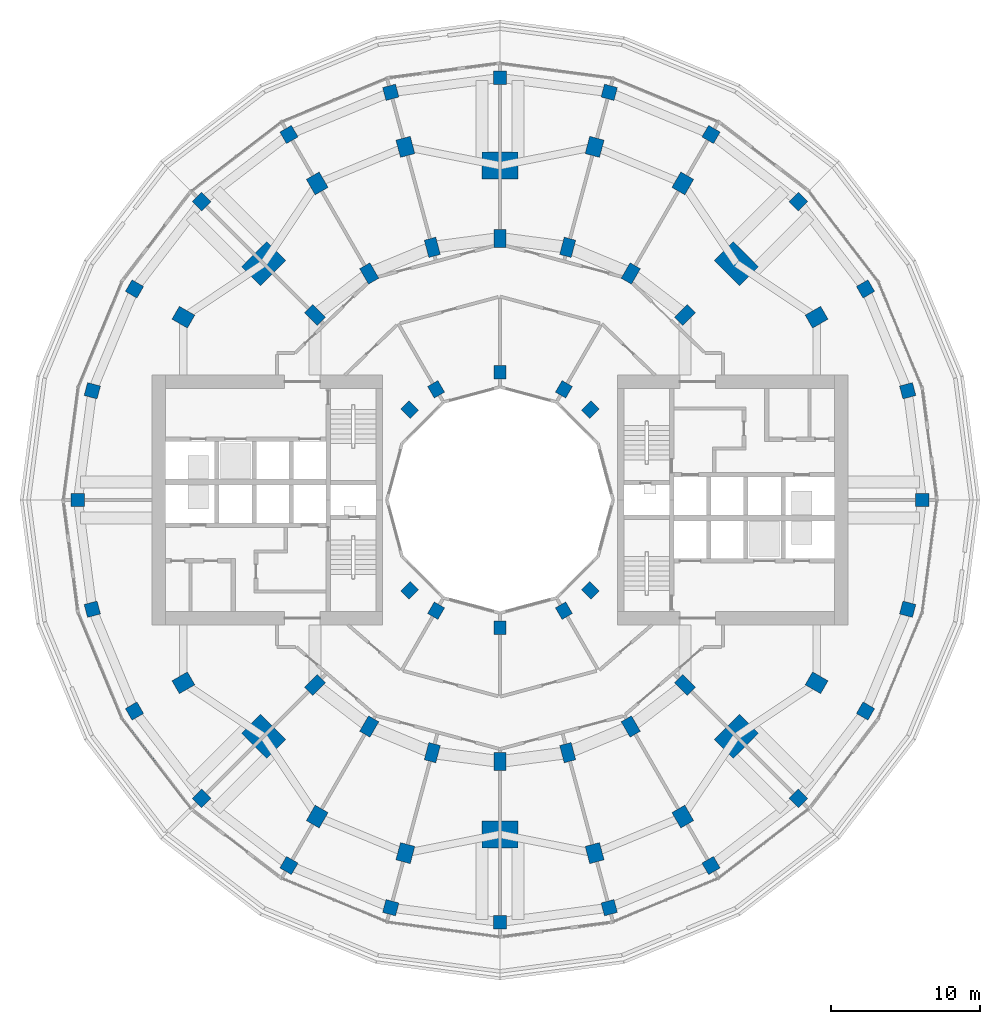
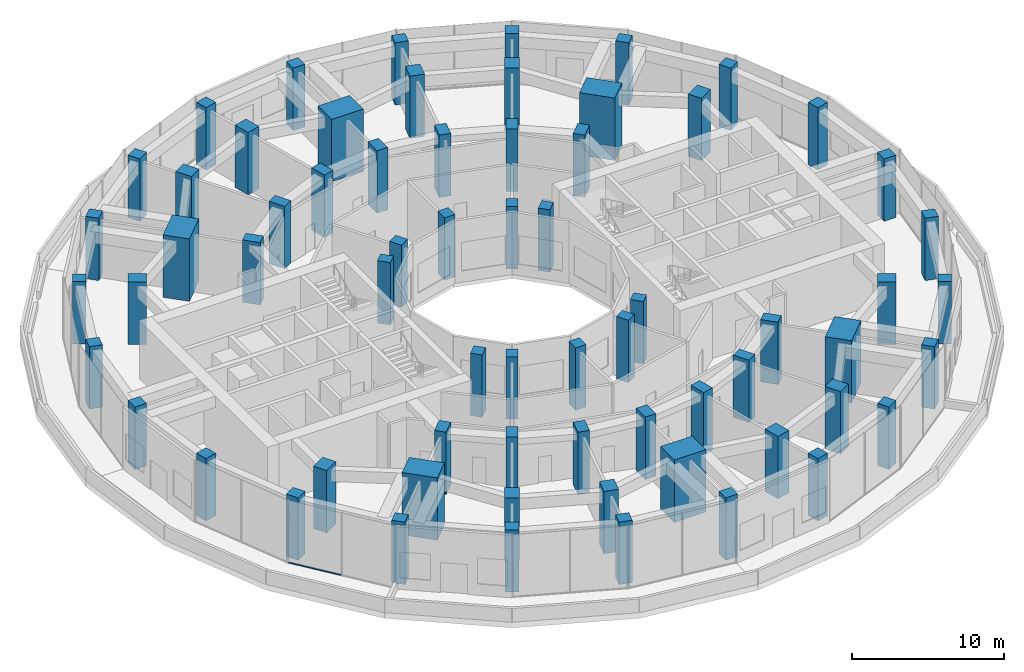
# One storey, part 1 of 19: 66 columns, 1 member, 1 element without a shape of its own.
"""IFC4 building model written with IfcOpenShell, lengths in metres."""

from ifc_helpers import new_model, si_unit, direction, frame, origin, origin_2d, place, context, subcontext, project, spatial, rectangle, extrude, material, layer, layer_set, material_profile, profile_set, type_object, element, aggregate, save


model = new_model("IFC4")

# Units and contexts
model_context = context("Model", 3, precision=1e-05, world=origin(), true_north=direction((0.0, 1.0)))
body_context = subcontext(model_context, "Body", "Model", "MODEL_VIEW")
ifc_project = project(units=[si_unit("LENGTHUNIT", "METRE"), si_unit("AREAUNIT", "SQUARE_METRE"), si_unit("VOLUMEUNIT", "CUBIC_METRE"), si_unit("PLANEANGLEUNIT", "RADIAN"), si_unit("MASSUNIT", "GRAM", prefix="KILO")], contexts=[model_context])

# Site, building, storey
site_placement = place(None, origin())
site = spatial("IfcSite", under=ifc_project, at=site_placement, CompositionType="ELEMENT")
building_placement = place(site_placement, origin())
building = spatial("IfcBuilding", under=site, at=building_placement, Name="Torre Brocal", CompositionType="ELEMENT")
storey_placement = place(building_placement, frame((0.0, 0.0, 23.800048828125)))
storey = spatial("IfcBuildingStorey", under=building, at=storey_placement, Name="L04", CompositionType="ELEMENT", Elevation=23.800048828125)

# Columns
ifc_material_1 = material(Name="Concrete C80", Category="concrete")
ifc_material_profile_1 = material_profile(ifc_material_1, rectangle(XDim=1.199951171875, YDim=1.0, at=origin_2d()), Name="RC 1200X1000")
ifc_profile_set_1 = profile_set([ifc_material_profile_1], Name="Concrete C80")
column_type_1 = type_object("IfcColumnType", Name="RC COLUMN 1200X1000 C80", PredefinedType="COLUMN", material=ifc_profile_set_1)
for number, where, z_axis, x_axis, name in (
    (1, (101.30419921875, 87.300048828125, 0.0), (0.0, 0.0, 1.0), (0.866025403784, 0.5, 0.0), "Column C-O02"),
    (2, (92.300048828125, 96.30419921875, 0.0), (0.0, 0.0, 1.0), (0.5, 0.866025403784, 0.0), "Column C-O04"),
    (3, (86.366943359375, 98.76171875, 0.0), (0.0, 0.0, 1.0), (0.258819045103, 0.965925826289, 0.0), "Column C-O05"),
    (4, (73.633056640625, 98.76171875, 0.0), (0.0, 0.0, 1.0), (-0.258819045103, 0.965925826289, 0.0), "Column C-O07"),
    (5, (67.699951171875, 96.30419921875, 0.0), (0.0, 0.0, 1.0), (-0.5, 0.866025403784, 0.0), "Column C-O08"),
    (6, (58.69580078125, 87.300048828125, 0.0), (0.0, 0.0, 1.0), (-0.866025403784, 0.5, 0.0), "Column C-O10"),
    (7, (58.69580078125, 62.699951171875, 0.0), (0.0, 0.0, 1.0), (-0.866025403784, -0.5, 0.0), "Column C-O14"),
    (8, (67.699951171875, 53.69580078125, 0.0), (0.0, 0.0, 1.0), (-0.5, -0.866025403784, 0.0), "Column C-O16"),
    (9, (73.633056640625, 51.23828125, 0.0), (0.0, 0.0, 1.0), (-0.258819045103, -0.965925826289, 0.0), "Column C-O17"),
    (10, (86.366943359375, 51.23828125, 0.0), (0.0, 0.0, 1.0), (0.258819045103, -0.965925826289, 0.0), "Column C-O19"),
    (11, (92.300048828125, 53.69580078125, 0.0), (0.0, 0.0, 1.0), (0.5, -0.866025403784, 0.0), "Column C-O20"),
    (12, (101.30419921875, 62.699951171875, 0.0), (0.0, 0.0, 1.0), (0.866025403784, -0.5, 0.0), "Column C-O22"),
):
    element("IfcColumn", number, at=place(storey_placement, frame(where, z_axis=z_axis, x_axis=x_axis)), inside=storey, type_object=column_type_1, Name=name, PredefinedType="COLUMN", context=body_context, shape_type="SweptSolid", body=[
        extrude(rectangle(XDim=1.199951171875, YDim=1.0, at=origin_2d()), origin(), (0.0, 0.0, 1.0), 5.0),
    ])
ifc_material_2 = material(Name="Concrete C80", Category="concrete")
ifc_material_profile_2 = material_profile(ifc_material_2, rectangle(XDim=1.199951171875, YDim=0.800048828125, at=origin_2d()), Name="RC 1200X800")
ifc_profile_set_2 = profile_set([ifc_material_profile_2], Name="Concrete C80")
column_type_2 = type_object("IfcColumnType", Name="RC COLUMN 1200X800 C80", PredefinedType="COLUMN", material=ifc_profile_set_2)
for number, where, z_axis, x_axis, name in (
    (13, (92.445068359375, 87.445068359375, 0.0), (0.0, 0.0, 1.0), (0.707106781187, 0.707106781187, 0.0), "Column C-M03"),
    (14, (88.800048828125, 90.241943359375, 0.0), (0.0, 0.0, 1.0), (0.5, 0.866025403784, 0.0), "Column C-M04"),
    (15, (84.55517578125, 92.000244140625, 0.0), (0.0, 0.0, 1.0), (0.258819045103, 0.965925826289, 0.0), "Column C-M05"),
    (16, (80.0, 92.60009765625, 0.0), (0.0, 0.0, 1.0), (0.0, 1.0, 0.0), "Column C-M06"),
    (17, (75.44482421875, 92.000244140625, 0.0), (0.0, 0.0, 1.0), (-0.258819045103, 0.965925826289, 0.0), "Column C-M07"),
    (18, (71.199951171875, 90.241943359375, 0.0), (0.0, 0.0, 1.0), (-0.5, 0.866025403784, 0.0), "Column C-M08"),
    (19, (67.554931640625, 87.445068359375, 0.0), (0.0, 0.0, 1.0), (-0.707106781187, 0.707106781187, 0.0), "Column C-M09"),
    (20, (67.554931640625, 62.554931640625, 0.0), (0.0, 0.0, 1.0), (-0.707106781187, -0.707106781187, 0.0), "Column C-M15"),
    (21, (71.199951171875, 59.758056640625, 0.0), (0.0, 0.0, 1.0), (-0.5, -0.866025403784, 0.0), "Column C-M16"),
    (22, (75.44482421875, 57.999755859375, 0.0), (0.0, 0.0, 1.0), (-0.258819045103, -0.965925826289, 0.0), "Column C-M17"),
    (23, (80.0, 57.39990234375, 0.0), (0.0, 0.0, 1.0), (0.0, -1.0, 0.0), "Column C-M18"),
    (24, (84.55517578125, 57.999755859375, 0.0), (0.0, 0.0, 1.0), (0.258819045103, -0.965925826289, 0.0), "Column C-M19"),
    (25, (88.800048828125, 59.758056640625, 0.0), (0.0, 0.0, 1.0), (0.5, -0.866025403784, 0.0), "Column C-M20"),
    (26, (92.445068359375, 62.554931640625, 0.0), (0.0, 0.0, 1.0), (0.707106781187, -0.707106781187, 0.0), "Column C-M21"),
):
    element("IfcColumn", number, at=place(storey_placement, frame(where, z_axis=z_axis, x_axis=x_axis)), inside=storey, type_object=column_type_2, Name=name, PredefinedType="COLUMN", context=body_context, shape_type="SweptSolid", body=[
        extrude(rectangle(XDim=1.199951171875, YDim=0.800048828125, at=origin_2d()), origin(), (0.0, 0.0, 1.0), 5.0),
    ])
ifc_material_3 = material(Name="Concrete C80", Category="concrete")
ifc_material_profile_3 = material_profile(ifc_material_3, rectangle(XDim=1.800048828125, YDim=2.39990234375, at=origin_2d()), Name="RC 1800X2400")
ifc_profile_set_3 = profile_set([ifc_material_profile_3], Name="Concrete C80")
column_type_3 = type_object("IfcColumnType", Name="RC COLUMN 1800X2400 C80", PredefinedType="COLUMN", material=ifc_profile_set_3)
for number, where, z_axis, x_axis, name in (
    (27, (95.909912109375, 90.909912109375, 0.0), (0.0, 0.0, 1.0), (0.707106781187, 0.707106781187, 0.0), "Column MC-1"),
    (28, (80.0, 97.5, 0.0), (0.0, 0.0, 1.0), (0.0, 1.0, 0.0), "Column MC-2"),
    (29, (64.090087890625, 90.909912109375, 0.0), (0.0, 0.0, 1.0), (-0.707106781187, 0.707106781187, 0.0), "Column MC-3"),
    (30, (64.090087890625, 59.090087890625, 0.0), (0.0, 0.0, 1.0), (-0.707106781187, -0.707106781187, 0.0), "Column MC-5"),
    (31, (80.0, 52.5, 0.0), (0.0, 0.0, 1.0), (0.0, -1.0, 0.0), "Column MC-6"),
    (32, (95.909912109375, 59.090087890625, 0.0), (0.0, 0.0, 1.0), (0.707106781187, -0.707106781187, 0.0), "Column MC-7"),
):
    element("IfcColumn", number, at=place(storey_placement, frame(where, z_axis=z_axis, x_axis=x_axis)), inside=storey, type_object=column_type_3, Name=name, PredefinedType="COLUMN", context=body_context, shape_type="SweptSolid", body=[
        extrude(rectangle(XDim=1.800048828125, YDim=2.39990234375, at=origin_2d()), origin(), (0.0, 0.0, 1.0), 5.0),
    ])
ifc_material_4 = material(Name="Concrete C80", Category="concrete")
ifc_material_profile_4 = material_profile(ifc_material_4, rectangle(XDim=0.89990234375, YDim=0.800048828125, at=origin_2d()), Name="RC 900X800")
ifc_profile_set_4 = profile_set([ifc_material_profile_4], Name="Concrete C80")
column_type_4 = type_object("IfcColumnType", Name="RC COLUMN 900X800 C80", PredefinedType="COLUMN", material=ifc_profile_set_4)
for number, where, z_axis, x_axis, name in (
    (33, (86.0810546875, 81.0810546875, 0.0), (0.0, 0.0, 1.0), (0.707106781187, 0.707106781187, 0.0), "Column C-I03"),
    (34, (84.300048828125, 82.44775390625, 0.0), (0.0, 0.0, 1.0), (0.5, 0.866025403784, 0.0), "Column C-I04"),
    (35, (80.0, 83.60009765625, 0.0), (0.0, 0.0, 1.0), (0.0, 1.0, 0.0), "Column C-I06"),
    (36, (75.699951171875, 82.44775390625, 0.0), (0.0, 0.0, 1.0), (-0.5, 0.866025403784, 0.0), "Column C-I08"),
    (37, (73.9189453125, 81.0810546875, 0.0), (0.0, 0.0, 1.0), (-0.707106781187, 0.707106781187, 0.0), "Column C-I09"),
    (38, (73.9189453125, 68.9189453125, 0.0), (0.0, 0.0, 1.0), (-0.707106781187, -0.707106781187, 0.0), "Column C-I15"),
    (39, (75.699951171875, 67.55224609375, 0.0), (0.0, 0.0, 1.0), (-0.5, -0.866025403784, 0.0), "Column C-I16"),
    (40, (80.0, 66.39990234375, 0.0), (0.0, 0.0, 1.0), (0.0, -1.0, 0.0), "Column C-I18"),
    (41, (84.300048828125, 67.55224609375, 0.0), (0.0, 0.0, 1.0), (0.5, -0.866025403784, 0.0), "Column C-I20"),
    (42, (86.0810546875, 68.9189453125, 0.0), (0.0, 0.0, 1.0), (0.707106781187, -0.707106781187, 0.0), "Column C-I21"),
):
    element("IfcColumn", number, at=place(storey_placement, frame(where, z_axis=z_axis, x_axis=x_axis)), inside=storey, type_object=column_type_4, Name=name, PredefinedType="COLUMN", context=body_context, shape_type="SweptSolid", body=[
        extrude(rectangle(XDim=0.89990234375, YDim=0.800048828125, at=origin_2d()), origin(), (0.0, 0.0, 1.0), 5.0),
    ])
ifc_material_5 = material(Name="Concrete C80", Category="concrete")
ifc_material_profile_5 = material_profile(ifc_material_5, rectangle(XDim=0.89990234375, YDim=0.89990234375, at=origin_2d()), Name="RC 900X900")
ifc_profile_set_5 = profile_set([ifc_material_profile_5], Name="Concrete C80")
column_type_5 = type_object("IfcColumnType", Name="RC COLUMN 900X900 C80", PredefinedType="COLUMN", material=ifc_profile_set_5)
for number, where, z_axis, x_axis, name in (
    (43, (108.39990234375, 75.0, 0.0), (0.0, 0.0, 1.0), (1.0, 0.0, 0.0), "Column C-PD00"),
    (44, (107.432373046875, 82.350341796875, 0.0), (0.0, 0.0, 1.0), (0.965925826289, 0.258819045103, 0.0), "Column C-PD01"),
    (45, (104.59521484375, 89.199951171875, 0.0), (0.0, 0.0, 1.0), (0.866025403784, 0.5, 0.0), "Column C-PD02"),
    (46, (100.081787109375, 95.081787109375, 0.0), (0.0, 0.0, 1.0), (0.707106781187, 0.707106781187, 0.0), "Column C-PD03"),
    (47, (94.199951171875, 99.59521484375, 0.0), (0.0, 0.0, 1.0), (0.5, 0.866025403784, 0.0), "Column C-PD04"),
    (48, (87.350341796875, 102.432373046875, 0.0), (0.0, 0.0, 1.0), (0.258819045103, 0.965925826289, 0.0), "Column C-PD05"),
    (49, (80.0, 103.39990234375, 0.0), (0.0, 0.0, 1.0), (0.0, 1.0, 0.0), "Column C-PD06"),
    (50, (72.649658203125, 102.432373046875, 0.0), (0.0, 0.0, 1.0), (-0.258819045103, 0.965925826289, 0.0), "Column C-PD07"),
    (51, (65.800048828125, 99.59521484375, 0.0), (0.0, 0.0, 1.0), (-0.5, 0.866025403784, 0.0), "Column C-PD08"),
    (52, (59.918212890625, 95.081787109375, 0.0), (0.0, 0.0, 1.0), (-0.707106781187, 0.707106781187, 0.0), "Column C-PD09"),
    (53, (55.40478515625, 89.199951171875, 0.0), (0.0, 0.0, 1.0), (-0.866025403784, 0.5, 0.0), "Column C-PD10"),
    (54, (52.567626953125, 82.350341796875, 0.0), (0.0, 0.0, 1.0), (-0.965925826289, 0.258819045103, 0.0), "Column C-PD11"),
    (55, (51.60009765625, 75.0, 0.0), (0.0, 0.0, 1.0), (-1.0, 0.0, 0.0), "Column C-PD12"),
    (56, (52.567626953125, 67.649658203125, 0.0), (0.0, 0.0, 1.0), (-0.965925826289, -0.258819045103, 0.0), "Column C-PD13"),
    (57, (55.40478515625, 60.800048828125, 0.0), (0.0, 0.0, 1.0), (-0.866025403784, -0.5, 0.0), "Column C-PD14"),
    (58, (59.918212890625, 54.918212890625, 0.0), (0.0, 0.0, 1.0), (-0.707106781187, -0.707106781187, 0.0), "Column C-PD15"),
    (59, (65.800048828125, 50.40478515625, 0.0), (0.0, 0.0, 1.0), (-0.5, -0.866025403784, 0.0), "Column C-PD16"),
    (60, (72.649658203125, 47.567626953125, 0.0), (0.0, 0.0, 1.0), (-0.258819045103, -0.965925826289, 0.0), "Column C-PD17"),
    (61, (80.0, 46.60009765625, 0.0), (0.0, 0.0, 1.0), (0.0, -1.0, 0.0), "Column C-PD18"),
    (62, (87.350341796875, 47.567626953125, 0.0), (0.0, 0.0, 1.0), (0.258819045103, -0.965925826289, 0.0), "Column C-PD19"),
    (63, (94.199951171875, 50.40478515625, 0.0), (0.0, 0.0, 1.0), (0.5, -0.866025403784, 0.0), "Column C-PD20"),
    (64, (100.081787109375, 54.918212890625, 0.0), (0.0, 0.0, 1.0), (0.707106781187, -0.707106781187, 0.0), "Column C-PD21"),
    (65, (104.59521484375, 60.800048828125, 0.0), (0.0, 0.0, 1.0), (0.866025403784, -0.5, 0.0), "Column C-PD22"),
    (66, (107.432373046875, 67.649658203125, 0.0), (0.0, 0.0, 1.0), (0.965925826289, -0.258819045103, 0.0), "Column C-PD23"),
):
    element("IfcColumn", number, at=place(storey_placement, frame(where, z_axis=z_axis, x_axis=x_axis)), inside=storey, type_object=column_type_5, Name=name, PredefinedType="COLUMN", context=body_context, shape_type="SweptSolid", body=[
        extrude(rectangle(XDim=0.89990234375, YDim=0.89990234375, at=origin_2d()), origin(), (0.0, 0.0, 1.0), 5.0),
    ])

# Curtain wall, member
ifc_material_6 = material(Name="Aluminium and glass", Category="aluminium")
ifc_layer = layer(ifc_material_6, 0.199951171875)
ifc_layer_set = layer_set([ifc_layer], Name="Aluminium and glass")
curtain_wall_type = type_object("IfcCurtainWallType", Name="CW-6 CURTAIN WALL 5000 HIGH", PredefinedType="NOTDEFINED", material=ifc_layer_set)
curtain_wall_placement = place(storey_placement, origin())
curtain_wall = element("IfcCurtainWall", 67, at=curtain_wall_placement, inside=storey, type_object=curtain_wall_type, Name="CW-6 RUN 15", PredefinedType="NOTDEFINED")
ifc_material_7 = material(Name="Aluminium, dark anodised", Category="aluminium")
ifc_material_profile_6 = material_profile(ifc_material_7, rectangle(XDim=0.1298828125, YDim=0.070068359375, at=origin_2d()), Name="CW-6 TRANSOM 130X70")
ifc_profile_set_6 = profile_set([ifc_material_profile_6], Name="Aluminium, dark anodised")
member_type = type_object("IfcMemberType", Name="CW-6 TRANSOM 130X70", PredefinedType="USERDEFINED", material=ifc_profile_set_6)
member_placement = place(storey_placement, frame((54.570068359375, 60.2607421875, 0.034912109375), z_axis=(0.608747552181, -0.793363988163, 0.0), x_axis=(0.793363988163, 0.608747552181, 0.0)))
member = element("IfcMember", 68, at=member_placement, type_object=member_type, Name="CW6-3 transom 1.1", ObjectType="TRANSOM", PredefinedType="USERDEFINED", context=body_context, shape_type="SweptSolid", body=[
    extrude(rectangle(XDim=0.1298828125, YDim=0.070068359375, at=origin_2d()), origin(), (0.0, 0.0, 1.0), 3.76220703125),
])
aggregate(curtain_wall, [member])

save(model, "model.ifc")
